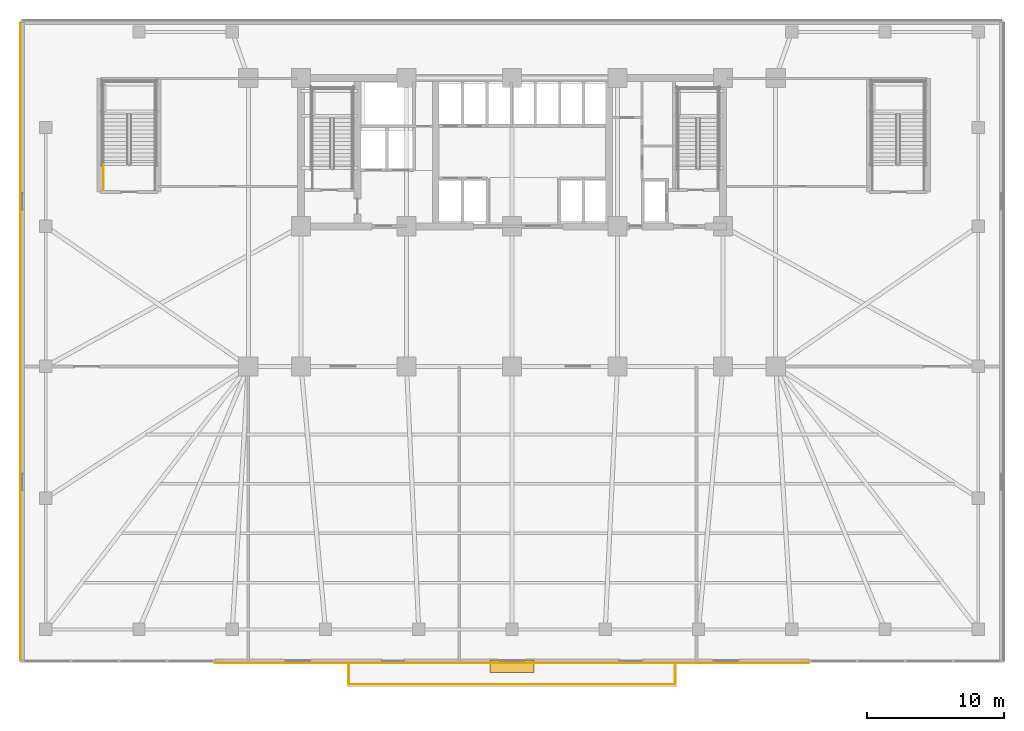
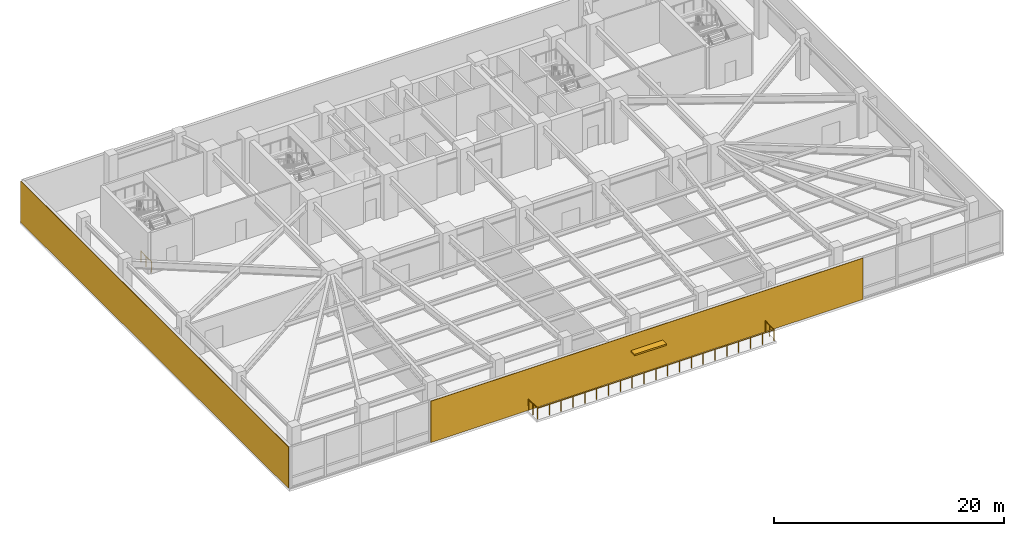
# One storey, part 11 of 15: 2 coverings, 2 railings, 1 shading device.
"""IFC4 building model written with IfcOpenShell, lengths in metres."""

from ifc_helpers import new_model, si_unit, direction, frame, frame_2d, origin, origin_2d, place, context, subcontext, project, spatial, rectangle, circle, extrude, material, layer, layer_set, type_object, element, save


model = new_model("IFC4")

# Units and contexts
model_context = context("Model", 3, precision=1e-05, world=origin(), true_north=direction((0.0, 1.0)))
body_context = subcontext(model_context, "Body", "Model", "MODEL_VIEW")
ifc_project = project(units=[si_unit("LENGTHUNIT", "METRE"), si_unit("AREAUNIT", "SQUARE_METRE"), si_unit("VOLUMEUNIT", "CUBIC_METRE"), si_unit("PLANEANGLEUNIT", "RADIAN"), si_unit("MASSUNIT", "GRAM", prefix="KILO")], contexts=[model_context])

# Site, building, storey
site_placement = place(None, origin())
site = spatial("IfcSite", under=ifc_project, at=site_placement, CompositionType="ELEMENT")
building_placement = place(site_placement, origin())
building = spatial("IfcBuilding", under=site, at=building_placement, Name="Yelkora Congress Tower", CompositionType="ELEMENT")
storey_placement = place(building_placement, frame((0.0, 0.0, 20.39990234375)))
storey = spatial("IfcBuildingStorey", under=building, at=storey_placement, Name="L04", CompositionType="ELEMENT", Elevation=20.39990234375)

# Coverings
ifc_material_1 = material(Name="Anatolian honed limestone ashlar", Category="masonry")
ifc_layer_1 = layer(ifc_material_1, 0.050048828125)
ifc_layer_set_1 = layer_set([ifc_layer_1], Name="Anatolian honed limestone ashlar")
covering_type = type_object("IfcCoveringType", Name="COV-CLAD-LIMESTONE-50", PredefinedType="CLADDING", material=ifc_layer_set_1)
covering_1_placement = place(storey_placement, frame((2.60009765625, 3.760009765625, 0.0), z_axis=(0.0, 0.0, 1.0), x_axis=(0.0, 1.0, 0.0)))
element("IfcCovering", 1, at=covering_1_placement, inside=storey, type_object=covering_type, Name="L04 Anatolian Limestone Cladding EW-L04-E01", PredefinedType="CLADDING", context=body_context, shape_type="SweptSolid", body=[
    extrude(rectangle(XDim=46.47998046875, YDim=0.050048828125, at=frame_2d((23.239990234375, 0.0))), origin(), (0.0, 0.0, 1.0), 4.380126953125),
])
covering_2_placement = place(storey_placement, frame((16.760009765625, 3.60009765625, 0.0), z_axis=(0.0, 0.0, 1.0), x_axis=(1.0, 0.0, 0.0)))
element("IfcCovering", 2, at=covering_2_placement, inside=storey, type_object=covering_type, Name="L04 Anatolian Limestone Cladding EW-L04-S-TER", PredefinedType="CLADDING", context=body_context, shape_type="SweptSolid", body=[
    extrude(rectangle(XDim=43.280029296875, YDim=0.050048828125, at=frame_2d((21.64013671875, 0.0))), origin(), (0.0, 0.0, 1.0), 4.380126953125),
])

# Railings
ifc_material_2 = material(Name="Painted galvanised steel stair well guard with vertical infill", Category="steel")
ifc_layer_2 = layer(ifc_material_2, 0.06005859375)
ifc_layer_set_2 = layer_set([ifc_layer_2], Name="Painted galvanised steel stair well guard with vertical infill")
railing_type_1 = type_object("IfcRailingType", Name="RAIL-STAIR-GUARD-1120", PredefinedType="GUARDRAIL", material=ifc_layer_set_2)
railing_1_placement = place(storey_placement, frame((8.64990234375, 38.050048828125, 0.0)))
element("IfcRailing", 3, at=railing_1_placement, inside=storey, type_object=railing_type_1, Name="ST-P1 L04 Stair Well Guardrail 9", PredefinedType="GUARDRAIL", context=body_context, shape_type="SweptSolid", body=[
    extrude(circle(Radius=0.02392578125, at=origin_2d()), frame((0.0, 0.0, 1.09619140625), z_axis=(0.0, 1.0, 0.0), x_axis=(-1.0, 0.0, 0.0)), (0.0, 0.0, 1.0), 1.849853515625),
    extrude(circle(Radius=0.02099609375, at=origin_2d()), origin(), (0.0, 0.0, 1.0), 1.072021484375),
    extrude(circle(Radius=0.02099609375, at=origin_2d()), frame((0.0, 0.9248046875, 0.0)), (0.0, 0.0, 1.0), 1.072021484375),
    extrude(circle(Radius=0.02099609375, at=origin_2d()), frame((0.0, 1.849853515625, 0.0)), (0.0, 0.0, 1.0), 1.072021484375),
])
ifc_material_3 = material(Name="Laminated structural glass balustrade with stainless cap rail", Category="glass")
ifc_layer_3 = layer(ifc_material_3, 0.10009765625)
ifc_layer_set_3 = layer_set([ifc_layer_3], Name="Laminated structural glass balustrade with stainless cap rail")
railing_type_2 = type_object("IfcRailingType", Name="RAIL-TER-BALUSTRADE-1180", PredefinedType="BALUSTRADE", material=ifc_layer_set_3)
railing_2_placement = place(storey_placement, frame((26.5400390625, 3.56005859375, 0.0)))
element("IfcRailing", 4, at=railing_2_placement, inside=storey, type_object=railing_type_2, Name="L04 Sky Garden Terrace Perimeter Guardrail", PredefinedType="BALUSTRADE", context=body_context, shape_type="SweptSolid", body=[
    extrude(circle(Radius=0.02392578125, at=origin_2d()), frame((0.0, 0.0, 1.15576171875), z_axis=(0.0, -1.0, 0.0), x_axis=(1.0, 0.0, 0.0)), (0.0, 0.0, 1.0), 1.52001953125),
    extrude(circle(Radius=0.02392578125, at=origin_2d()), frame((0.0, -1.52001953125, 1.15576171875), z_axis=(1.0, 0.0, 0.0), x_axis=(0.0, 1.0, 0.0)), (0.0, 0.0, 1.0), 23.719970703125),
    extrude(circle(Radius=0.02392578125, at=origin_2d()), frame((23.719970703125, -1.52001953125, 1.15576171875), z_axis=(0.0, 1.0, 0.0), x_axis=(-1.0, 0.0, 0.0)), (0.0, 0.0, 1.0), 1.52001953125),
    extrude(circle(Radius=0.02099609375, at=origin_2d()), origin(), (0.0, 0.0, 1.0), 1.1318359375),
    extrude(circle(Radius=0.02099609375, at=origin_2d()), frame((0.0, -0.760009765625, 0.0)), (0.0, 0.0, 1.0), 1.1318359375),
    extrude(circle(Radius=0.02099609375, at=origin_2d()), frame((0.0, -1.52001953125, 0.0)), (0.0, 0.0, 1.0), 1.1318359375),
    extrude(circle(Radius=0.02099609375, at=origin_2d()), frame((1.18603515625, -1.52001953125, 0.0)), (0.0, 0.0, 1.0), 1.1318359375),
    extrude(circle(Radius=0.02099609375, at=origin_2d()), frame((2.3720703125, -1.52001953125, 0.0)), (0.0, 0.0, 1.0), 1.1318359375),
    extrude(circle(Radius=0.02099609375, at=origin_2d()), frame((3.55810546875, -1.52001953125, 0.0)), (0.0, 0.0, 1.0), 1.1318359375),
    extrude(circle(Radius=0.02099609375, at=origin_2d()), frame((4.743896484375, -1.52001953125, 0.0)), (0.0, 0.0, 1.0), 1.1318359375),
    extrude(circle(Radius=0.02099609375, at=origin_2d()), frame((5.929931640625, -1.52001953125, 0.0)), (0.0, 0.0, 1.0), 1.1318359375),
    extrude(circle(Radius=0.02099609375, at=origin_2d()), frame((7.115966796875, -1.52001953125, 0.0)), (0.0, 0.0, 1.0), 1.1318359375),
    extrude(circle(Radius=0.02099609375, at=origin_2d()), frame((8.302001953125, -1.52001953125, 0.0)), (0.0, 0.0, 1.0), 1.1318359375),
    extrude(circle(Radius=0.02099609375, at=origin_2d()), frame((9.488037109375, -1.52001953125, 0.0)), (0.0, 0.0, 1.0), 1.1318359375),
    extrude(circle(Radius=0.02099609375, at=origin_2d()), frame((10.674072265625, -1.52001953125, 0.0)), (0.0, 0.0, 1.0), 1.1318359375),
    extrude(circle(Radius=0.02099609375, at=origin_2d()), frame((11.85986328125, -1.52001953125, 0.0)), (0.0, 0.0, 1.0), 1.1318359375),
    extrude(circle(Radius=0.02099609375, at=origin_2d()), frame((13.0458984375, -1.52001953125, 0.0)), (0.0, 0.0, 1.0), 1.1318359375),
    extrude(circle(Radius=0.02099609375, at=origin_2d()), frame((14.23193359375, -1.52001953125, 0.0)), (0.0, 0.0, 1.0), 1.1318359375),
    extrude(circle(Radius=0.02099609375, at=origin_2d()), frame((15.41796875, -1.52001953125, 0.0)), (0.0, 0.0, 1.0), 1.1318359375),
    extrude(circle(Radius=0.02099609375, at=origin_2d()), frame((16.60400390625, -1.52001953125, 0.0)), (0.0, 0.0, 1.0), 1.1318359375),
    extrude(circle(Radius=0.02099609375, at=origin_2d()), frame((17.7900390625, -1.52001953125, 0.0)), (0.0, 0.0, 1.0), 1.1318359375),
    extrude(circle(Radius=0.02099609375, at=origin_2d()), frame((18.97607421875, -1.52001953125, 0.0)), (0.0, 0.0, 1.0), 1.1318359375),
    extrude(circle(Radius=0.02099609375, at=origin_2d()), frame((20.161865234375, -1.52001953125, 0.0)), (0.0, 0.0, 1.0), 1.1318359375),
    extrude(circle(Radius=0.02099609375, at=origin_2d()), frame((21.347900390625, -1.52001953125, 0.0)), (0.0, 0.0, 1.0), 1.1318359375),
    extrude(circle(Radius=0.02099609375, at=origin_2d()), frame((22.533935546875, -1.52001953125, 0.0)), (0.0, 0.0, 1.0), 1.1318359375),
    extrude(circle(Radius=0.02099609375, at=origin_2d()), frame((23.719970703125, -1.52001953125, 0.0)), (0.0, 0.0, 1.0), 1.1318359375),
    extrude(circle(Radius=0.02099609375, at=origin_2d()), frame((23.719970703125, -0.760009765625, 0.0)), (0.0, 0.0, 1.0), 1.1318359375),
    extrude(circle(Radius=0.02099609375, at=origin_2d()), frame((23.719970703125, 0.0, 0.0)), (0.0, 0.0, 1.0), 1.1318359375),
])

# Shading device
ifc_material_4 = material(Name="Anodised aluminium aerofoil", Category="aluminium")
ifc_layer_4 = layer(ifc_material_4, 0.159912109375)
ifc_layer_set_4 = layer_set([ifc_layer_4], Name="Anodised aluminium aerofoil")
shading_device_type = type_object("IfcShadingDeviceType", Name="SHD-SUNSHADE-900", PredefinedType="USERDEFINED", material=ifc_layer_set_4)
shading_device_placement = place(storey_placement, frame((38.39990234375, 3.360107421875, 2.5703125), z_axis=(0.0, 0.0, 1.0), x_axis=(1.0, 0.0, 0.0)))
element("IfcShadingDevice", 5, at=shading_device_placement, inside=storey, type_object=shading_device_type, Name="L04 Terrace Portal Aerofoil Sunshade", ObjectType="SUNSHADE", PredefinedType="USERDEFINED", context=body_context, shape_type="SweptSolid", body=[
    extrude(rectangle(XDim=3.199951171875, YDim=0.89990234375, at=origin_2d()), origin(), (0.0, 0.0, 1.0), 0.159912109375),
])

save(model, "model.ifc")
